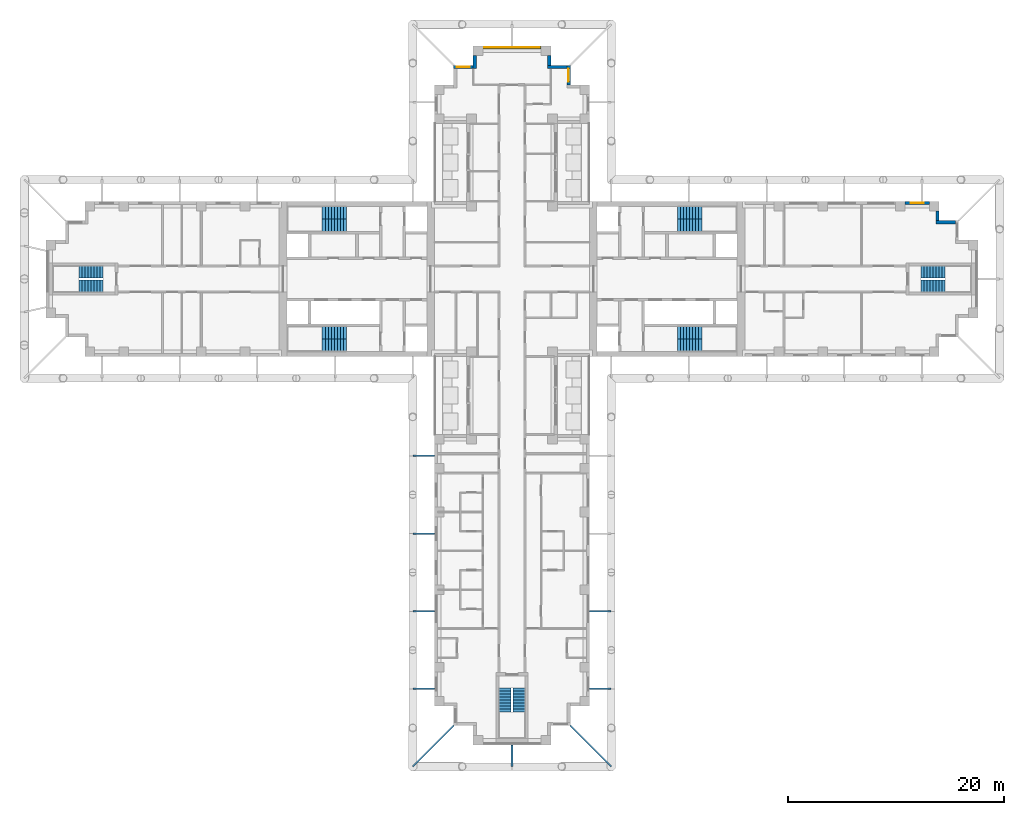
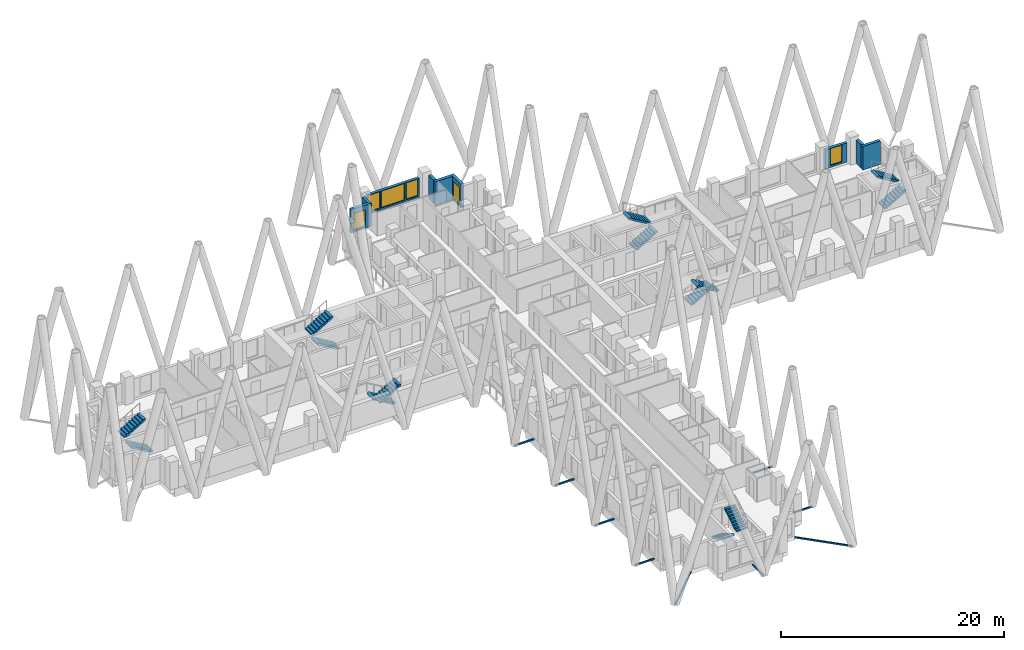
# One storey, part 11 of 14: 14 stair flights, 9 discrete accessories, 9 walls, 6 windows, 6 openings, 7 elements without a shape of their own.
"""IFC4 building model written with IfcOpenShell, lengths in metres."""

from ifc_helpers import new_model, si_unit, direction, frame, frame_2d, origin, origin_2d, place, context, subcontext, project, spatial, polyline, rectangle, hollow_rectangle, outline, extrude, material, layer, layer_set, type_object, element, fill, aggregate, save


model = new_model("IFC4")

# Units and contexts
model_context = context("Model", 3, precision=1e-05, world=origin(), true_north=direction((0.0, 1.0)))
body_context = subcontext(model_context, "Body", "Model", "MODEL_VIEW")
ifc_project = project(units=[si_unit("LENGTHUNIT", "METRE"), si_unit("AREAUNIT", "SQUARE_METRE"), si_unit("VOLUMEUNIT", "CUBIC_METRE"), si_unit("PLANEANGLEUNIT", "RADIAN"), si_unit("MASSUNIT", "GRAM", prefix="KILO")], contexts=[model_context])

# Site, building, storey
site_placement = place(None, origin())
site = spatial("IfcSite", under=ifc_project, at=site_placement, CompositionType="ELEMENT")
building_placement = place(site_placement, origin())
building = spatial("IfcBuilding", under=site, at=building_placement, Name="Fustian Cross Tower", CompositionType="ELEMENT")
storey_placement = place(building_placement, frame((0.0, 0.0, 102.89990234375)))
storey = spatial("IfcBuildingStorey", under=building, at=storey_placement, Name="L32", CompositionType="ELEMENT", Elevation=102.89990234375)

# Walls
ifc_material_1 = material(Name="Dark aluminium cladding on insulated backing wall", Category="aluminium")
ifc_layer = layer(ifc_material_1, 0.300048828125)
ifc_layer_set = layer_set([ifc_layer], Name="Dark aluminium cladding on insulated backing wall")
wall_type = type_object("IfcWallType", Name="XW1 EXTERNAL WALL 300", PredefinedType="SOLIDWALL", material=ifc_layer_set)
wall_1_placement = place(storey_placement, frame((41.10009765625, 5.25, 0.0), z_axis=(0.0, 0.0, 1.0), x_axis=(-1.0, 0.0, 0.0)))
element("IfcWall", 1, at=wall_1_placement, inside=storey, type_object=wall_type, Name="External wall", PredefinedType="SOLIDWALL", context=body_context, shape_type="SweptSolid", body=[
    extrude(rectangle(XDim=1.800048828125, YDim=0.300048828125, at=frame_2d((0.89990234375, 0.0))), origin(), (0.0, 0.0, 1.0), 2.5751953125),
])
wall_2_placement = place(storey_placement, frame((39.449951171875, 5.39990234375, 0.0), z_axis=(0.0, 0.0, 1.0), x_axis=(0.0, 1.0, 0.0)))
element("IfcWall", 2, at=wall_2_placement, inside=storey, type_object=wall_type, Name="External wall", PredefinedType="SOLIDWALL", context=body_context, shape_type="SweptSolid", body=[
    extrude(rectangle(XDim=0.900146484375, YDim=0.300048828125, at=frame_2d((0.4501953125, 0.0))), origin(), (0.0, 0.0, 1.0), 2.5751953125),
])

# Wall, opening, window
wall_3_placement = place(storey_placement, frame((38.699951171875, 7.050048828125, 0.0), z_axis=(0.0, 0.0, 1.0), x_axis=(-1.0, 0.0, 0.0)))
wall_3 = element("IfcWall", 3, at=wall_3_placement, inside=storey, type_object=wall_type, Name="External wall", PredefinedType="SOLIDWALL", context=body_context, shape_type="SweptSolid", body=[
    extrude(rectangle(XDim=2.25, YDim=0.300048828125, at=frame_2d((1.125, 0.0))), origin(), (0.0, 0.0, 1.0), 2.10009765625),
])
opening_1_placement = place(wall_3_placement, frame((0.52490234375, 0.0, 0.199951171875)))
opening_1 = element("IfcOpeningElement", 4, at=opening_1_placement, cuts=wall_3, Name="Opening WN3", PredefinedType="OPENING", context=body_context, shape_type="SweptSolid", body=[
    extrude(rectangle(XDim=1.199951171875, YDim=1.85009765625, at=frame_2d((0.60009765625, 0.925048828125))), frame((0.0, 0.159912109375, 0.0), z_axis=(0.0, -1.0, 0.0), x_axis=(1.0, 0.0, 0.0)), (0.0, 0.0, 1.0), 0.320068359375),
])
ifc_material_2 = material(Name="Dark anodised aluminium and double glazing", Category="aluminium")
window_type_1 = type_object("IfcWindowType", Name="WN3 WINDOW 1200X1850", PartitioningType="SINGLE_PANEL", PredefinedType="WINDOW", material=ifc_material_2)
window_1_placement = place(opening_1_placement, origin())
window_1 = element("IfcWindow", 5, at=window_1_placement, inside=storey, type_object=window_type_1, Name="Window", OverallHeight=1.85009765625, OverallWidth=1.199951171875, PartitioningType="SINGLE_PANEL", PredefinedType="WINDOW", context=body_context, shape_type="SweptSolid", body=[
    extrude(rectangle(XDim=1.199951171875, YDim=1.85009765625, at=frame_2d((0.60009765625, 0.925048828125))), frame((0.0, 0.030029296875, 0.0), z_axis=(0.0, -1.0, 0.0), x_axis=(1.0, 0.0, 0.0)), (0.0, 0.0, 1.0), 0.06005859375),
])
fill(opening_1, window_1)

wall_4_placement = place(storey_placement, frame((5.25, 18.0, 0.0), z_axis=(0.0, 0.0, 1.0), x_axis=(0.0, 1.0, 0.0)))
wall_4 = element("IfcWall", 6, at=wall_4_placement, inside=storey, type_object=wall_type, Name="External wall", PredefinedType="SOLIDWALL", context=body_context, shape_type="SweptSolid", body=[
    extrude(rectangle(XDim=1.800048828125, YDim=0.300048828125, at=frame_2d((0.89990234375, 0.0))), origin(), (0.0, 0.0, 1.0), 2.5751953125),
])
opening_2_placement = place(wall_4_placement, frame((0.300048828125, 0.0, 0.199951171875)))
opening_2 = element("IfcOpeningElement", 7, at=opening_2_placement, cuts=wall_4, Name="Opening WN3", PredefinedType="OPENING", context=body_context, shape_type="SweptSolid", body=[
    extrude(rectangle(XDim=1.199951171875, YDim=1.85009765625, at=frame_2d((0.60009765625, 0.925048828125))), frame((0.0, 0.159912109375, 0.0), z_axis=(0.0, -1.0, 0.0), x_axis=(1.0, 0.0, 0.0)), (0.0, 0.0, 1.0), 0.320068359375),
])
window_2_placement = place(opening_2_placement, origin())
window_2 = element("IfcWindow", 8, at=window_2_placement, inside=storey, type_object=window_type_1, Name="Window", OverallHeight=1.85009765625, OverallWidth=1.199951171875, PartitioningType="SINGLE_PANEL", PredefinedType="WINDOW", context=body_context, shape_type="SweptSolid", body=[
    extrude(rectangle(XDim=1.199951171875, YDim=1.85009765625, at=frame_2d((0.60009765625, 0.925048828125))), frame((0.0, 0.030029296875, 0.0), z_axis=(0.0, -1.0, 0.0), x_axis=(1.0, 0.0, 0.0)), (0.0, 0.0, 1.0), 0.06005859375),
])
fill(opening_2, window_2)

# Walls
wall_5_placement = place(storey_placement, frame((5.10009765625, 19.64990234375, 0.0), z_axis=(0.0, 0.0, 1.0), x_axis=(-1.0, 0.0, 0.0)))
element("IfcWall", 9, at=wall_5_placement, inside=storey, type_object=wall_type, Name="External wall", PredefinedType="SOLIDWALL", context=body_context, shape_type="SweptSolid", body=[
    extrude(rectangle(XDim=1.800048828125, YDim=0.300048828125, at=frame_2d((0.89990234375, 0.0))), origin(), (0.0, 0.0, 1.0), 2.5751953125),
])
wall_6_placement = place(storey_placement, frame((3.449951171875, 19.800048828125, 0.0), z_axis=(0.0, 0.0, 1.0), x_axis=(0.0, 1.0, 0.0)))
element("IfcWall", 10, at=wall_6_placement, inside=storey, type_object=wall_type, Name="External wall", PredefinedType="SOLIDWALL", context=body_context, shape_type="SweptSolid", body=[
    extrude(rectangle(XDim=0.89990234375, YDim=0.300048828125, at=frame_2d((0.449951171875, 0.0))), origin(), (0.0, 0.0, 1.0), 2.5751953125),
])

# Wall, openings, windows
wall_7_placement = place(storey_placement, frame((2.699951171875, 21.449951171875, 0.0), z_axis=(0.0, 0.0, 1.0), x_axis=(-1.0, 0.0, 0.0)))
wall_7 = element("IfcWall", 11, at=wall_7_placement, inside=storey, type_object=wall_type, Name="External wall", PredefinedType="SOLIDWALL", context=body_context, shape_type="SweptSolid", body=[
    extrude(rectangle(XDim=5.39990234375, YDim=0.300048828125, at=frame_2d((2.699951171875, 0.0))), origin(), (0.0, 0.0, 1.0), 2.10009765625),
])
opening_3_placement = place(wall_7_placement, frame((1.5, 0.0, 0.199951171875)))
opening_3 = element("IfcOpeningElement", 12, at=opening_3_placement, cuts=wall_7, Name="Opening WN1", PredefinedType="OPENING", context=body_context, shape_type="SweptSolid", body=[
    extrude(rectangle(XDim=2.39990234375, YDim=1.85009765625, at=frame_2d((1.199951171875, 0.925048828125))), frame((0.0, 0.159912109375, 0.0), z_axis=(0.0, -1.0, 0.0), x_axis=(1.0, 0.0, 0.0)), (0.0, 0.0, 1.0), 0.320068359375),
])
opening_4_placement = place(wall_7_placement, frame((0.14990234375, 0.0, 0.199951171875)))
opening_4 = element("IfcOpeningElement", 13, at=opening_4_placement, cuts=wall_7, Name="Opening WN3", PredefinedType="OPENING", context=body_context, shape_type="SweptSolid", body=[
    extrude(rectangle(XDim=1.199951171875, YDim=1.85009765625, at=frame_2d((0.60009765625, 0.925048828125))), frame((0.0, 0.159912109375, 0.0), z_axis=(0.0, -1.0, 0.0), x_axis=(1.0, 0.0, 0.0)), (0.0, 0.0, 1.0), 0.320068359375),
])
opening_5_placement = place(wall_7_placement, frame((4.050048828125, 0.0, 0.199951171875)))
opening_5 = element("IfcOpeningElement", 14, at=opening_5_placement, cuts=wall_7, Name="Opening WN3", PredefinedType="OPENING", context=body_context, shape_type="SweptSolid", body=[
    extrude(rectangle(XDim=1.199951171875, YDim=1.85009765625, at=frame_2d((0.60009765625, 0.925048828125))), frame((0.0, 0.159912109375, 0.0), z_axis=(0.0, -1.0, 0.0), x_axis=(1.0, 0.0, 0.0)), (0.0, 0.0, 1.0), 0.320068359375),
])
ifc_material_3 = material(Name="Dark anodised aluminium and double glazing", Category="aluminium")
window_type_2 = type_object("IfcWindowType", Name="WN1 WINDOW 2400X1850", PartitioningType="SINGLE_PANEL", PredefinedType="WINDOW", material=ifc_material_3)
window_3_placement = place(opening_3_placement, origin())
window_3 = element("IfcWindow", 15, at=window_3_placement, inside=storey, type_object=window_type_2, Name="Window", OverallHeight=1.85009765625, OverallWidth=2.39990234375, PartitioningType="SINGLE_PANEL", PredefinedType="WINDOW", context=body_context, shape_type="SweptSolid", body=[
    extrude(rectangle(XDim=2.39990234375, YDim=1.85009765625, at=frame_2d((1.199951171875, 0.925048828125))), frame((0.0, 0.030029296875, 0.0), z_axis=(0.0, -1.0, 0.0), x_axis=(1.0, 0.0, 0.0)), (0.0, 0.0, 1.0), 0.06005859375),
])
fill(opening_3, window_3)
window_4_placement = place(opening_4_placement, origin())
window_4 = element("IfcWindow", 16, at=window_4_placement, inside=storey, type_object=window_type_1, Name="Window", OverallHeight=1.85009765625, OverallWidth=1.199951171875, PartitioningType="SINGLE_PANEL", PredefinedType="WINDOW", context=body_context, shape_type="SweptSolid", body=[
    extrude(rectangle(XDim=1.199951171875, YDim=1.85009765625, at=frame_2d((0.60009765625, 0.925048828125))), frame((0.0, 0.030029296875, 0.0), z_axis=(0.0, -1.0, 0.0), x_axis=(1.0, 0.0, 0.0)), (0.0, 0.0, 1.0), 0.06005859375),
])
fill(opening_4, window_4)
window_5_placement = place(opening_5_placement, origin())
window_5 = element("IfcWindow", 17, at=window_5_placement, inside=storey, type_object=window_type_1, Name="Window", OverallHeight=1.85009765625, OverallWidth=1.199951171875, PartitioningType="SINGLE_PANEL", PredefinedType="WINDOW", context=body_context, shape_type="SweptSolid", body=[
    extrude(rectangle(XDim=1.199951171875, YDim=1.85009765625, at=frame_2d((0.60009765625, 0.925048828125))), frame((0.0, 0.030029296875, 0.0), z_axis=(0.0, -1.0, 0.0), x_axis=(1.0, 0.0, 0.0)), (0.0, 0.0, 1.0), 0.06005859375),
])
fill(opening_5, window_5)

# Wall
wall_8_placement = place(storey_placement, frame((-3.449951171875, 20.699951171875, 0.0), z_axis=(0.0, 0.0, 1.0), x_axis=(0.0, -1.0, 0.0)))
element("IfcWall", 18, at=wall_8_placement, inside=storey, type_object=wall_type, Name="External wall", PredefinedType="SOLIDWALL", context=body_context, shape_type="SweptSolid", body=[
    extrude(rectangle(XDim=1.199951171875, YDim=0.300048828125, at=frame_2d((0.60009765625, 0.0))), origin(), (0.0, 0.0, 1.0), 2.5751953125),
])

# Wall, opening, window
wall_9_placement = place(storey_placement, frame((-3.60009765625, 19.64990234375, 0.0), z_axis=(0.0, 0.0, 1.0), x_axis=(-1.0, 0.0, 0.0)))
wall_9 = element("IfcWall", 19, at=wall_9_placement, inside=storey, type_object=wall_type, Name="External wall", PredefinedType="SOLIDWALL", context=body_context, shape_type="SweptSolid", body=[
    extrude(rectangle(XDim=1.7998046875, YDim=0.300048828125, at=frame_2d((0.89990234375, 0.0))), origin(), (0.0, 0.0, 1.0), 2.5751953125),
])
opening_6_placement = place(wall_9_placement, frame((0.300048828125, 0.0, 0.199951171875)))
opening_6 = element("IfcOpeningElement", 20, at=opening_6_placement, cuts=wall_9, Name="Opening WN3", PredefinedType="OPENING", context=body_context, shape_type="SweptSolid", body=[
    extrude(rectangle(XDim=1.199951171875, YDim=1.85009765625, at=frame_2d((0.60009765625, 0.925048828125))), frame((0.0, 0.159912109375, 0.0), z_axis=(0.0, -1.0, 0.0), x_axis=(1.0, 0.0, 0.0)), (0.0, 0.0, 1.0), 0.320068359375),
])
window_6_placement = place(opening_6_placement, origin())
window_6 = element("IfcWindow", 21, at=window_6_placement, inside=storey, type_object=window_type_1, Name="Window", OverallHeight=1.85009765625, OverallWidth=1.199951171875, PartitioningType="SINGLE_PANEL", PredefinedType="WINDOW", context=body_context, shape_type="SweptSolid", body=[
    extrude(rectangle(XDim=1.199951171875, YDim=1.85009765625, at=frame_2d((0.60009765625, 0.925048828125))), frame((0.0, 0.030029296875, 0.0), z_axis=(0.0, -1.0, 0.0), x_axis=(1.0, 0.0, 0.0)), (0.0, 0.0, 1.0), 0.06005859375),
])
fill(opening_6, window_6)

# Stair, stair flights
ifc_material_4 = material(Name="Concrete C50/60", Category="concrete")
stair_type_1 = type_object("IfcStairType", Name="STAIR 1100 HALF TURN", PredefinedType="HALF_TURN_STAIR", material=ifc_material_4)
stair_1_placement = place(storey_placement, origin())
stair_1 = element("IfcStair", 22, at=stair_1_placement, inside=storey, type_object=stair_type_1, Name="Stair ST6", PredefinedType="HALF_TURN_STAIR")
ifc_material_5 = material(Name="Concrete C50/60", Category="concrete")
stair_flight_type_1 = type_object("IfcStairFlightType", Name="STAIR FLIGHT 1100", PredefinedType="STRAIGHT", material=ifc_material_5)
stair_flight_1_placement = place(storey_placement, frame((-0.64990234375, -37.89990234375, 0.0), z_axis=(0.0, 0.0, 1.0), x_axis=(0.0, -1.0, 0.0)))
stair_flight_1 = element("IfcStairFlight", 23, at=stair_flight_1_placement, type_object=stair_flight_type_1, Name="ST6 flight 1", NumberOfRisers=9, NumberOfTreads=8, PredefinedType="STRAIGHT", RiserHeight=0.166666667, TreadLength=0.28, context=body_context, shape_type="SweptSolid", body=[
    extrude(outline(polyline([(0.0, 0.0), (0.0, 0.166748046875), (0.280029296875, 0.166748046875), (0.280029296875, 0.333251953125), (0.56005859375, 0.333251953125), (0.56005859375, 0.5), (0.840087890625, 0.5), (0.840087890625, 0.666748046875), (1.1201171875, 0.666748046875), (1.1201171875, 0.833251953125), (1.39990234375, 0.833251953125), (1.39990234375, 1.0), (1.679931640625, 1.0), (1.679931640625, 1.166748046875), (1.9599609375, 1.166748046875), (1.9599609375, 1.333251953125), (2.239990234375, 1.333251953125), (2.239990234375, 1.5), (2.239990234375, 1.158935546875), (0.29296875, 0.0), (0.0, 0.0)])), frame((0.0, 0.550048828125, 0.0), z_axis=(0.0, -1.0, 0.0), x_axis=(1.0, 0.0, 0.0)), (0.0, 0.0, 1.0), 1.10009765625),
])
stair_flight_2_placement = place(storey_placement, frame((0.64990234375, -40.139892578125, 1.5), z_axis=(0.0, 0.0, 1.0), x_axis=(0.0, 1.0, 0.0)))
stair_flight_2 = element("IfcStairFlight", 24, at=stair_flight_2_placement, type_object=stair_flight_type_1, Name="ST6 flight 2", NumberOfRisers=9, NumberOfTreads=8, PredefinedType="STRAIGHT", RiserHeight=0.166666667, TreadLength=0.28, context=body_context, shape_type="SweptSolid", body=[
    extrude(outline(polyline([(0.0, 0.0), (0.0, 0.166748046875), (0.280029296875, 0.166748046875), (0.280029296875, 0.333251953125), (0.56005859375, 0.333251953125), (0.56005859375, 0.5), (0.840087890625, 0.5), (0.840087890625, 0.666748046875), (1.1201171875, 0.666748046875), (1.1201171875, 0.833251953125), (1.39990234375, 0.833251953125), (1.39990234375, 1.0), (1.679931640625, 1.0), (1.679931640625, 1.166748046875), (1.9599609375, 1.166748046875), (1.9599609375, 1.333251953125), (2.239990234375, 1.333251953125), (2.239990234375, 1.5), (2.239990234375, 1.158935546875), (0.29296875, 0.0), (0.0, 0.0)])), frame((0.0, 0.550048828125, 0.0), z_axis=(0.0, -1.0, 0.0), x_axis=(1.0, 0.0, 0.0)), (0.0, 0.0, 1.0), 1.10009765625),
])
aggregate(stair_1, [stair_flight_1, stair_flight_2])

stair_2_placement = place(storey_placement, origin())
stair_2 = element("IfcStair", 25, at=stair_2_placement, inside=storey, type_object=stair_type_1, Name="Stair ST8", PredefinedType="HALF_TURN_STAIR")
stair_flight_3_placement = place(storey_placement, frame((37.89990234375, -0.64990234375, 0.0), z_axis=(0.0, 0.0, 1.0), x_axis=(1.0, 0.0, 0.0)))
stair_flight_3 = element("IfcStairFlight", 26, at=stair_flight_3_placement, type_object=stair_flight_type_1, Name="ST8 flight 1", NumberOfRisers=9, NumberOfTreads=8, PredefinedType="STRAIGHT", RiserHeight=0.166666667, TreadLength=0.28, context=body_context, shape_type="SweptSolid", body=[
    extrude(outline(polyline([(0.0, 0.0), (0.0, 0.166748046875), (0.280029296875, 0.166748046875), (0.280029296875, 0.333251953125), (0.56005859375, 0.333251953125), (0.56005859375, 0.5), (0.840087890625, 0.5), (0.840087890625, 0.666748046875), (1.1201171875, 0.666748046875), (1.1201171875, 0.833251953125), (1.39990234375, 0.833251953125), (1.39990234375, 1.0), (1.679931640625, 1.0), (1.679931640625, 1.166748046875), (1.9599609375, 1.166748046875), (1.9599609375, 1.333251953125), (2.239990234375, 1.333251953125), (2.239990234375, 1.5), (2.239990234375, 1.158935546875), (0.29296875, 0.0), (0.0, 0.0)])), frame((0.0, 0.550048828125, 0.0), z_axis=(0.0, -1.0, 0.0), x_axis=(1.0, 0.0, 0.0)), (0.0, 0.0, 1.0), 1.10009765625),
])
stair_flight_4_placement = place(storey_placement, frame((40.139892578125, 0.64990234375, 1.5), z_axis=(0.0, 0.0, 1.0), x_axis=(-1.0, 0.0, 0.0)))
stair_flight_4 = element("IfcStairFlight", 27, at=stair_flight_4_placement, type_object=stair_flight_type_1, Name="ST8 flight 2", NumberOfRisers=9, NumberOfTreads=8, PredefinedType="STRAIGHT", RiserHeight=0.166666667, TreadLength=0.28, context=body_context, shape_type="SweptSolid", body=[
    extrude(outline(polyline([(0.0, 0.0), (0.0, 0.166748046875), (0.280029296875, 0.166748046875), (0.280029296875, 0.333251953125), (0.56005859375, 0.333251953125), (0.56005859375, 0.5), (0.840087890625, 0.5), (0.840087890625, 0.666748046875), (1.1201171875, 0.666748046875), (1.1201171875, 0.833251953125), (1.39990234375, 0.833251953125), (1.39990234375, 1.0), (1.679931640625, 1.0), (1.679931640625, 1.166748046875), (1.9599609375, 1.166748046875), (1.9599609375, 1.333251953125), (2.239990234375, 1.333251953125), (2.239990234375, 1.5), (2.239990234375, 1.158935546875), (0.29296875, 0.0), (0.0, 0.0)])), frame((0.0, 0.550048828125, 0.0), z_axis=(0.0, -1.0, 0.0), x_axis=(1.0, 0.0, 0.0)), (0.0, 0.0, 1.0), 1.10009765625),
])
aggregate(stair_2, [stair_flight_3, stair_flight_4])

stair_3_placement = place(storey_placement, origin())
stair_3 = element("IfcStair", 28, at=stair_3_placement, inside=storey, type_object=stair_type_1, Name="Stair ST9", PredefinedType="HALF_TURN_STAIR")
stair_flight_5_placement = place(storey_placement, frame((-37.89990234375, -0.64990234375, 0.0), z_axis=(0.0, 0.0, 1.0), x_axis=(-1.0, 0.0, 0.0)))
stair_flight_5 = element("IfcStairFlight", 29, at=stair_flight_5_placement, type_object=stair_flight_type_1, Name="ST9 flight 1", NumberOfRisers=9, NumberOfTreads=8, PredefinedType="STRAIGHT", RiserHeight=0.166666667, TreadLength=0.28, context=body_context, shape_type="SweptSolid", body=[
    extrude(outline(polyline([(0.0, 0.0), (0.0, 0.166748046875), (0.280029296875, 0.166748046875), (0.280029296875, 0.333251953125), (0.56005859375, 0.333251953125), (0.56005859375, 0.5), (0.840087890625, 0.5), (0.840087890625, 0.666748046875), (1.1201171875, 0.666748046875), (1.1201171875, 0.833251953125), (1.39990234375, 0.833251953125), (1.39990234375, 1.0), (1.679931640625, 1.0), (1.679931640625, 1.166748046875), (1.9599609375, 1.166748046875), (1.9599609375, 1.333251953125), (2.239990234375, 1.333251953125), (2.239990234375, 1.5), (2.239990234375, 1.158935546875), (0.29296875, 0.0), (0.0, 0.0)])), frame((0.0, 0.550048828125, 0.0), z_axis=(0.0, -1.0, 0.0), x_axis=(1.0, 0.0, 0.0)), (0.0, 0.0, 1.0), 1.10009765625),
])
stair_flight_6_placement = place(storey_placement, frame((-40.139892578125, 0.64990234375, 1.5), z_axis=(0.0, 0.0, 1.0), x_axis=(1.0, 0.0, 0.0)))
stair_flight_6 = element("IfcStairFlight", 30, at=stair_flight_6_placement, type_object=stair_flight_type_1, Name="ST9 flight 2", NumberOfRisers=9, NumberOfTreads=8, PredefinedType="STRAIGHT", RiserHeight=0.166666667, TreadLength=0.28, context=body_context, shape_type="SweptSolid", body=[
    extrude(outline(polyline([(0.0, 0.0), (0.0, 0.166748046875), (0.280029296875, 0.166748046875), (0.280029296875, 0.333251953125), (0.56005859375, 0.333251953125), (0.56005859375, 0.5), (0.840087890625, 0.5), (0.840087890625, 0.666748046875), (1.1201171875, 0.666748046875), (1.1201171875, 0.833251953125), (1.39990234375, 0.833251953125), (1.39990234375, 1.0), (1.679931640625, 1.0), (1.679931640625, 1.166748046875), (1.9599609375, 1.166748046875), (1.9599609375, 1.333251953125), (2.239990234375, 1.333251953125), (2.239990234375, 1.5), (2.239990234375, 1.158935546875), (0.29296875, 0.0), (0.0, 0.0)])), frame((0.0, 0.550048828125, 0.0), z_axis=(0.0, -1.0, 0.0), x_axis=(1.0, 0.0, 0.0)), (0.0, 0.0, 1.0), 1.10009765625),
])
aggregate(stair_3, [stair_flight_5, stair_flight_6])

ifc_material_6 = material(Name="Concrete C50/60", Category="concrete")
stair_type_2 = type_object("IfcStairType", Name="STAIR 1150 HALF TURN", PredefinedType="HALF_TURN_STAIR", material=ifc_material_6)
stair_4_placement = place(storey_placement, origin())
stair_4 = element("IfcStair", 31, at=stair_4_placement, inside=storey, type_object=stair_type_2, Name="Stair ST1", PredefinedType="HALF_TURN_STAIR")
ifc_material_7 = material(Name="Concrete C50/60", Category="concrete")
stair_flight_type_2 = type_object("IfcStairFlightType", Name="STAIR FLIGHT 1150", PredefinedType="STRAIGHT", material=ifc_material_7)
stair_flight_7_placement = place(storey_placement, frame((15.35009765625, 4.97509765625, 0.0), z_axis=(0.0, 0.0, 1.0), x_axis=(1.0, 0.0, 0.0)))
stair_flight_7 = element("IfcStairFlight", 32, at=stair_flight_7_placement, type_object=stair_flight_type_2, Name="ST1 flight 1", NumberOfRisers=9, NumberOfTreads=8, PredefinedType="STRAIGHT", RiserHeight=0.166666667, TreadLength=0.28, context=body_context, shape_type="SweptSolid", body=[
    extrude(outline(polyline([(0.0, 0.0), (0.0, 0.166748046875), (0.280029296875, 0.166748046875), (0.280029296875, 0.333251953125), (0.56005859375, 0.333251953125), (0.56005859375, 0.5), (0.840087890625, 0.5), (0.840087890625, 0.666748046875), (1.1201171875, 0.666748046875), (1.1201171875, 0.833251953125), (1.39990234375, 0.833251953125), (1.39990234375, 1.0), (1.679931640625, 1.0), (1.679931640625, 1.166748046875), (1.9599609375, 1.166748046875), (1.9599609375, 1.333251953125), (2.239990234375, 1.333251953125), (2.239990234375, 1.5), (2.239990234375, 1.158935546875), (0.29296875, 0.0), (0.0, 0.0)])), frame((0.0, 0.574951171875, 0.0), z_axis=(0.0, -1.0, 0.0), x_axis=(1.0, 0.0, 0.0)), (0.0, 0.0, 1.0), 1.14990234375),
])
stair_flight_8_placement = place(storey_placement, frame((17.590087890625, 6.125, 1.5), z_axis=(0.0, 0.0, 1.0), x_axis=(-1.0, 0.0, 0.0)))
stair_flight_8 = element("IfcStairFlight", 33, at=stair_flight_8_placement, type_object=stair_flight_type_2, Name="ST1 flight 2", NumberOfRisers=9, NumberOfTreads=8, PredefinedType="STRAIGHT", RiserHeight=0.166666667, TreadLength=0.28, context=body_context, shape_type="SweptSolid", body=[
    extrude(outline(polyline([(0.0, 0.0), (0.0, 0.166748046875), (0.280029296875, 0.166748046875), (0.280029296875, 0.333251953125), (0.56005859375, 0.333251953125), (0.56005859375, 0.5), (0.840087890625, 0.5), (0.840087890625, 0.666748046875), (1.1201171875, 0.666748046875), (1.1201171875, 0.833251953125), (1.39990234375, 0.833251953125), (1.39990234375, 1.0), (1.679931640625, 1.0), (1.679931640625, 1.166748046875), (1.9599609375, 1.166748046875), (1.9599609375, 1.333251953125), (2.239990234375, 1.333251953125), (2.239990234375, 1.5), (2.239990234375, 1.158935546875), (0.29296875, 0.0), (0.0, 0.0)])), frame((0.0, 0.574951171875, 0.0), z_axis=(0.0, -1.0, 0.0), x_axis=(1.0, 0.0, 0.0)), (0.0, 0.0, 1.0), 1.14990234375),
])
aggregate(stair_4, [stair_flight_7, stair_flight_8])

stair_5_placement = place(storey_placement, origin())
stair_5 = element("IfcStair", 34, at=stair_5_placement, inside=storey, type_object=stair_type_2, Name="Stair ST2", PredefinedType="HALF_TURN_STAIR")
stair_flight_9_placement = place(storey_placement, frame((15.35009765625, -4.97509765625, 0.0), z_axis=(0.0, 0.0, 1.0), x_axis=(1.0, 0.0, 0.0)))
stair_flight_9 = element("IfcStairFlight", 35, at=stair_flight_9_placement, type_object=stair_flight_type_2, Name="ST2 flight 1", NumberOfRisers=9, NumberOfTreads=8, PredefinedType="STRAIGHT", RiserHeight=0.166666667, TreadLength=0.28, context=body_context, shape_type="SweptSolid", body=[
    extrude(outline(polyline([(0.0, 0.0), (0.0, 0.166748046875), (0.280029296875, 0.166748046875), (0.280029296875, 0.333251953125), (0.56005859375, 0.333251953125), (0.56005859375, 0.5), (0.840087890625, 0.5), (0.840087890625, 0.666748046875), (1.1201171875, 0.666748046875), (1.1201171875, 0.833251953125), (1.39990234375, 0.833251953125), (1.39990234375, 1.0), (1.679931640625, 1.0), (1.679931640625, 1.166748046875), (1.9599609375, 1.166748046875), (1.9599609375, 1.333251953125), (2.239990234375, 1.333251953125), (2.239990234375, 1.5), (2.239990234375, 1.158935546875), (0.29296875, 0.0), (0.0, 0.0)])), frame((0.0, 0.574951171875, 0.0), z_axis=(0.0, -1.0, 0.0), x_axis=(1.0, 0.0, 0.0)), (0.0, 0.0, 1.0), 1.14990234375),
])
stair_flight_10_placement = place(storey_placement, frame((17.590087890625, -6.125, 1.5), z_axis=(0.0, 0.0, 1.0), x_axis=(-1.0, 0.0, 0.0)))
stair_flight_10 = element("IfcStairFlight", 36, at=stair_flight_10_placement, type_object=stair_flight_type_2, Name="ST2 flight 2", NumberOfRisers=9, NumberOfTreads=8, PredefinedType="STRAIGHT", RiserHeight=0.166666667, TreadLength=0.28, context=body_context, shape_type="SweptSolid", body=[
    extrude(outline(polyline([(0.0, 0.0), (0.0, 0.166748046875), (0.280029296875, 0.166748046875), (0.280029296875, 0.333251953125), (0.56005859375, 0.333251953125), (0.56005859375, 0.5), (0.840087890625, 0.5), (0.840087890625, 0.666748046875), (1.1201171875, 0.666748046875), (1.1201171875, 0.833251953125), (1.39990234375, 0.833251953125), (1.39990234375, 1.0), (1.679931640625, 1.0), (1.679931640625, 1.166748046875), (1.9599609375, 1.166748046875), (1.9599609375, 1.333251953125), (2.239990234375, 1.333251953125), (2.239990234375, 1.5), (2.239990234375, 1.158935546875), (0.29296875, 0.0), (0.0, 0.0)])), frame((0.0, 0.574951171875, 0.0), z_axis=(0.0, -1.0, 0.0), x_axis=(1.0, 0.0, 0.0)), (0.0, 0.0, 1.0), 1.14990234375),
])
aggregate(stair_5, [stair_flight_9, stair_flight_10])

stair_6_placement = place(storey_placement, origin())
stair_6 = element("IfcStair", 37, at=stair_6_placement, inside=storey, type_object=stair_type_2, Name="Stair ST3", PredefinedType="HALF_TURN_STAIR")
stair_flight_11_placement = place(storey_placement, frame((-15.35009765625, 4.97509765625, 0.0), z_axis=(0.0, 0.0, 1.0), x_axis=(-1.0, 0.0, 0.0)))
stair_flight_11 = element("IfcStairFlight", 38, at=stair_flight_11_placement, type_object=stair_flight_type_2, Name="ST3 flight 1", NumberOfRisers=9, NumberOfTreads=8, PredefinedType="STRAIGHT", RiserHeight=0.166666667, TreadLength=0.28, context=body_context, shape_type="SweptSolid", body=[
    extrude(outline(polyline([(0.0, 0.0), (0.0, 0.166748046875), (0.280029296875, 0.166748046875), (0.280029296875, 0.333251953125), (0.56005859375, 0.333251953125), (0.56005859375, 0.5), (0.840087890625, 0.5), (0.840087890625, 0.666748046875), (1.1201171875, 0.666748046875), (1.1201171875, 0.833251953125), (1.39990234375, 0.833251953125), (1.39990234375, 1.0), (1.679931640625, 1.0), (1.679931640625, 1.166748046875), (1.9599609375, 1.166748046875), (1.9599609375, 1.333251953125), (2.239990234375, 1.333251953125), (2.239990234375, 1.5), (2.239990234375, 1.158935546875), (0.29296875, 0.0), (0.0, 0.0)])), frame((0.0, 0.574951171875, 0.0), z_axis=(0.0, -1.0, 0.0), x_axis=(1.0, 0.0, 0.0)), (0.0, 0.0, 1.0), 1.14990234375),
])
stair_flight_12_placement = place(storey_placement, frame((-17.590087890625, 6.125, 1.5), z_axis=(0.0, 0.0, 1.0), x_axis=(1.0, 0.0, 0.0)))
stair_flight_12 = element("IfcStairFlight", 39, at=stair_flight_12_placement, type_object=stair_flight_type_2, Name="ST3 flight 2", NumberOfRisers=9, NumberOfTreads=8, PredefinedType="STRAIGHT", RiserHeight=0.166666667, TreadLength=0.28, context=body_context, shape_type="SweptSolid", body=[
    extrude(outline(polyline([(0.0, 0.0), (0.0, 0.166748046875), (0.280029296875, 0.166748046875), (0.280029296875, 0.333251953125), (0.56005859375, 0.333251953125), (0.56005859375, 0.5), (0.840087890625, 0.5), (0.840087890625, 0.666748046875), (1.1201171875, 0.666748046875), (1.1201171875, 0.833251953125), (1.39990234375, 0.833251953125), (1.39990234375, 1.0), (1.679931640625, 1.0), (1.679931640625, 1.166748046875), (1.9599609375, 1.166748046875), (1.9599609375, 1.333251953125), (2.239990234375, 1.333251953125), (2.239990234375, 1.5), (2.239990234375, 1.158935546875), (0.29296875, 0.0), (0.0, 0.0)])), frame((0.0, 0.574951171875, 0.0), z_axis=(0.0, -1.0, 0.0), x_axis=(1.0, 0.0, 0.0)), (0.0, 0.0, 1.0), 1.14990234375),
])
aggregate(stair_6, [stair_flight_11, stair_flight_12])

stair_7_placement = place(storey_placement, origin())
stair_7 = element("IfcStair", 40, at=stair_7_placement, inside=storey, type_object=stair_type_2, Name="Stair ST4", PredefinedType="HALF_TURN_STAIR")
stair_flight_13_placement = place(storey_placement, frame((-15.35009765625, -4.97509765625, 0.0), z_axis=(0.0, 0.0, 1.0), x_axis=(-1.0, 0.0, 0.0)))
stair_flight_13 = element("IfcStairFlight", 41, at=stair_flight_13_placement, type_object=stair_flight_type_2, Name="ST4 flight 1", NumberOfRisers=9, NumberOfTreads=8, PredefinedType="STRAIGHT", RiserHeight=0.166666667, TreadLength=0.28, context=body_context, shape_type="SweptSolid", body=[
    extrude(outline(polyline([(0.0, 0.0), (0.0, 0.166748046875), (0.280029296875, 0.166748046875), (0.280029296875, 0.333251953125), (0.56005859375, 0.333251953125), (0.56005859375, 0.5), (0.840087890625, 0.5), (0.840087890625, 0.666748046875), (1.1201171875, 0.666748046875), (1.1201171875, 0.833251953125), (1.39990234375, 0.833251953125), (1.39990234375, 1.0), (1.679931640625, 1.0), (1.679931640625, 1.166748046875), (1.9599609375, 1.166748046875), (1.9599609375, 1.333251953125), (2.239990234375, 1.333251953125), (2.239990234375, 1.5), (2.239990234375, 1.158935546875), (0.29296875, 0.0), (0.0, 0.0)])), frame((0.0, 0.574951171875, 0.0), z_axis=(0.0, -1.0, 0.0), x_axis=(1.0, 0.0, 0.0)), (0.0, 0.0, 1.0), 1.14990234375),
])
stair_flight_14_placement = place(storey_placement, frame((-17.590087890625, -6.125, 1.5), z_axis=(0.0, 0.0, 1.0), x_axis=(1.0, 0.0, 0.0)))
stair_flight_14 = element("IfcStairFlight", 42, at=stair_flight_14_placement, type_object=stair_flight_type_2, Name="ST4 flight 2", NumberOfRisers=9, NumberOfTreads=8, PredefinedType="STRAIGHT", RiserHeight=0.166666667, TreadLength=0.28, context=body_context, shape_type="SweptSolid", body=[
    extrude(outline(polyline([(0.0, 0.0), (0.0, 0.166748046875), (0.280029296875, 0.166748046875), (0.280029296875, 0.333251953125), (0.56005859375, 0.333251953125), (0.56005859375, 0.5), (0.840087890625, 0.5), (0.840087890625, 0.666748046875), (1.1201171875, 0.666748046875), (1.1201171875, 0.833251953125), (1.39990234375, 0.833251953125), (1.39990234375, 1.0), (1.679931640625, 1.0), (1.679931640625, 1.166748046875), (1.9599609375, 1.166748046875), (1.9599609375, 1.333251953125), (2.239990234375, 1.333251953125), (2.239990234375, 1.5), (2.239990234375, 1.158935546875), (0.29296875, 0.0), (0.0, 0.0)])), frame((0.0, 0.574951171875, 0.0), z_axis=(0.0, -1.0, 0.0), x_axis=(1.0, 0.0, 0.0)), (0.0, 0.0, 1.0), 1.14990234375),
])
aggregate(stair_7, [stair_flight_13, stair_flight_14])

# Discrete accessories
ifc_material_8 = material(Name="Steel S355", Category="steel")
for number, where, z_axis, x_axis, name in (
    (43, (-9.199951171875, -16.39990234375, -0.14990234375), (1.0, 0.0, 0.0), (0.0, 1.0, 0.0), "Diagrid node bracket L32-27"),
    (44, (-9.199951171875, -23.60009765625, -0.14990234375), (1.0, 0.0, 0.0), (0.0, 1.0, 0.0), "Diagrid node bracket L32-28"),
    (45, (-9.199951171875, -30.800048828125, -0.14990234375), (1.0, 0.0, 0.0), (0.0, 1.0, 0.0), "Diagrid node bracket L32-29"),
    (46, (-9.199951171875, -38.0, -0.14990234375), (1.0, 0.0, 0.0), (0.0, 1.0, 0.0), "Diagrid node bracket L32-30"),
):
    element("IfcDiscreteAccessory", number, at=place(storey_placement, frame(where, z_axis=z_axis, x_axis=x_axis)), inside=storey, material=ifc_material_8, Name=name, PredefinedType="BRACKET", context=body_context, shape_type="SweptSolid", body=[
        extrude(hollow_rectangle(XDim=0.14990234375, YDim=0.14990234375, WallThickness=0.010009765625, at=origin_2d()), origin(), (0.0, 0.0, 1.0), 2.0),
    ])
discrete_accessory_1_placement = place(storey_placement, frame((-9.199951171875, -45.199951171875, -0.14990234375), z_axis=(0.707106781187, 0.707106781187, 0.0), x_axis=(-0.707106781187, 0.707106781187, 0.0)))
element("IfcDiscreteAccessory", 47, at=discrete_accessory_1_placement, inside=storey, material=ifc_material_8, Name="Diagrid node bracket L32-31", PredefinedType="BRACKET", context=body_context, shape_type="SweptSolid", body=[
    extrude(hollow_rectangle(XDim=0.14990234375, YDim=0.14990234375, WallThickness=0.010009765625, at=origin_2d()), origin(), (0.0, 0.0, 1.0), 5.3740234375),
])
discrete_accessory_2_placement = place(storey_placement, frame((0.0, -45.199951171875, -0.14990234375), z_axis=(0.0, 1.0, 0.0), x_axis=(-1.0, 0.0, 0.0)))
element("IfcDiscreteAccessory", 48, at=discrete_accessory_2_placement, inside=storey, material=ifc_material_8, Name="Diagrid node bracket L32-32", PredefinedType="BRACKET", context=body_context, shape_type="SweptSolid", body=[
    extrude(hollow_rectangle(XDim=0.14990234375, YDim=0.14990234375, WallThickness=0.010009765625, at=origin_2d()), origin(), (0.0, 0.0, 1.0), 2.0),
])
discrete_accessory_3_placement = place(storey_placement, frame((9.199951171875, -45.199951171875, -0.14990234375), z_axis=(-0.707106781187, 0.707106781187, 0.0), x_axis=(-0.707106781187, -0.707106781187, 0.0)))
element("IfcDiscreteAccessory", 49, at=discrete_accessory_3_placement, inside=storey, material=ifc_material_8, Name="Diagrid node bracket L32-33", PredefinedType="BRACKET", context=body_context, shape_type="SweptSolid", body=[
    extrude(hollow_rectangle(XDim=0.14990234375, YDim=0.14990234375, WallThickness=0.010009765625, at=origin_2d()), origin(), (0.0, 0.0, 1.0), 5.3740234375),
])
for number, where, z_axis, x_axis, name in (
    (50, (9.199951171875, -38.0, -0.14990234375), (-1.0, 0.0, 0.0), (0.0, -1.0, 0.0), "Diagrid node bracket L32-34"),
    (51, (9.199951171875, -30.800048828125, -0.14990234375), (-1.0, 0.0, 0.0), (0.0, -1.0, 0.0), "Diagrid node bracket L32-35"),
):
    element("IfcDiscreteAccessory", number, at=place(storey_placement, frame(where, z_axis=z_axis, x_axis=x_axis)), inside=storey, material=ifc_material_8, Name=name, PredefinedType="BRACKET", context=body_context, shape_type="SweptSolid", body=[
        extrude(hollow_rectangle(XDim=0.14990234375, YDim=0.14990234375, WallThickness=0.010009765625, at=origin_2d()), origin(), (0.0, 0.0, 1.0), 2.0),
    ])

save(model, "model.ifc")
